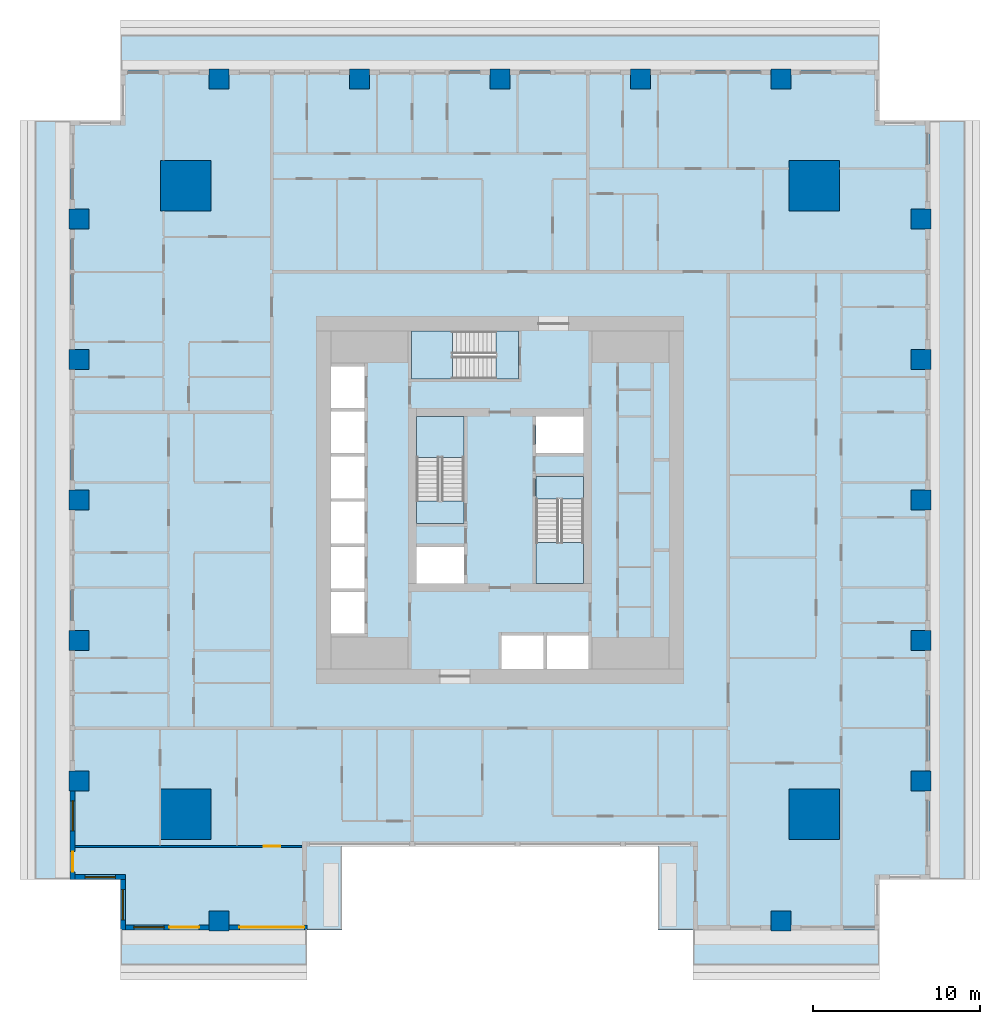
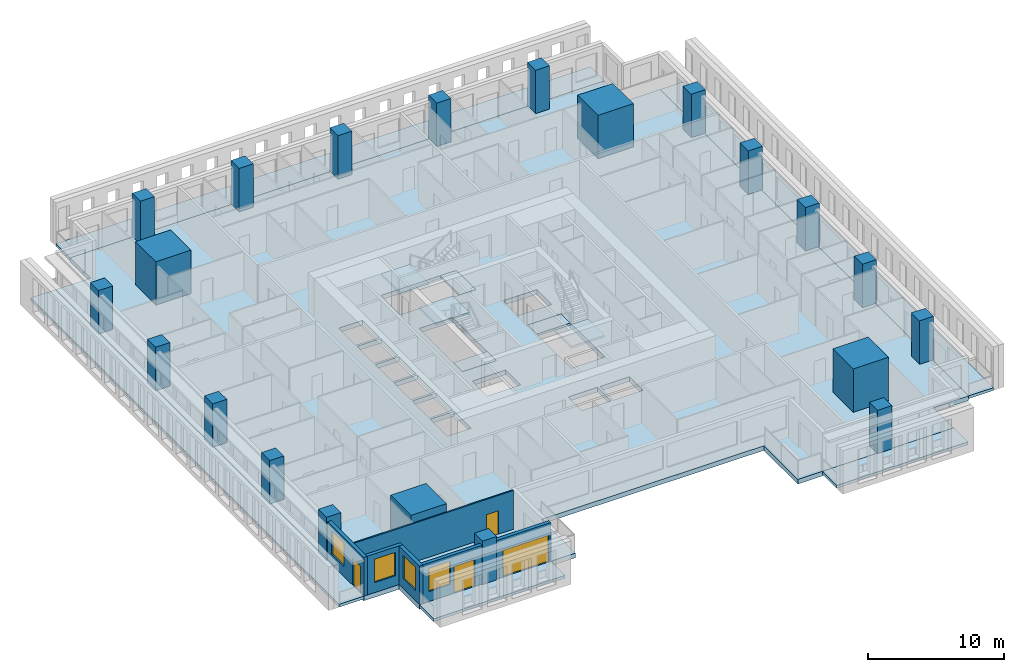
# One storey, part 1 of 15: 21 columns, 12 slabs, 6 walls, 4 doors, 4 windows, 8 openings, 3 elements without a shape of their own.
"""IFC4 building model written with IfcOpenShell, lengths in metres."""

import ifcopenshell
import ifcopenshell.guid

model = None  # the IFC model being written
_history = None  # IfcOwnerHistory: only IFC2X3 demands one
_inside = {}  # id of a spatial element -> (the spatial element, [elements in it])
_under = {}  # id of a project, library or spatial element -> (it, [spatial elements below it])
_declared = {}  # id of a project -> (the project, [libraries it declares])
_typed = {}  # id of a type object -> (the type object, [elements of that type])
_made_of = {}  # id of a material, layer set ... -> (it, [elements and type objects made of it])


def new_model(schema):
    """Start an empty IFC model of exactly this schema.

    Asked for "IFC4X3", IfcOpenShell would pick the latest addendum, in which some entities
    have other attributes; the version numbers below select the first issue.
    IFC2X3 requires an IfcOwnerHistory on every rooted entity: one is made here for all.
    """
    global model, _history
    if schema == "IFC4X3":
        model = ifcopenshell.file(schema_version=(4, 3, 0, 0))
    else:
        model = ifcopenshell.file(schema=schema)
    _inside.clear()
    _under.clear()
    _declared.clear()
    _typed.clear()
    _made_of.clear()
    _history = None
    if model.schema == "IFC2X3":
        org = make("IfcOrganization", Name="unknown")
        user = make(
            "IfcPersonAndOrganization",
            ThePerson=make("IfcPerson", FamilyName="unknown"),
            TheOrganization=org,
        )
        app = make(
            "IfcApplication",
            ApplicationDeveloper=org,
            Version="unknown",
            ApplicationFullName="unknown",
            ApplicationIdentifier="unknown",
        )
        _history = make(
            "IfcOwnerHistory",
            OwningUser=user,
            OwningApplication=app,
            ChangeAction="ADDED",
            CreationDate=0,
        )
    return model


def make(cls, **values):
    """One entity of the class cls with the attributes given. An attribute that is None is left unset."""
    return model.create_entity(
        cls, **{name: value for name, value in values.items() if value is not None}
    )


def rooted(cls, **values):
    """An entity with a GlobalId (a new one), such as an element, a storey or a relation."""
    return make(cls, GlobalId=ifcopenshell.guid.new(), OwnerHistory=_history, **values)


def si_unit(unit_type, name, prefix=None):
    """IfcSIUnit, for example si_unit("LENGTHUNIT", "METRE", prefix="MILLI")."""
    return make("IfcSIUnit", UnitType=unit_type, Prefix=prefix, Name=name)


def assignment(units):
    """IfcUnitAssignment: the units of a project."""
    return None if units is None else make("IfcUnitAssignment", Units=units)


def point(xyz):
    """IfcCartesianPoint."""
    return None if xyz is None else make("IfcCartesianPoint", Coordinates=xyz)


def direction(xyz):
    """IfcDirection."""
    return None if xyz is None else make("IfcDirection", DirectionRatios=xyz)


def frame(location, z_axis=None, x_axis=None):
    """IfcAxis2Placement3D, a coordinate frame: its origin and axes. An axis left out is left unset."""
    return make(
        "IfcAxis2Placement3D",
        Location=point(location),
        Axis=direction(z_axis),
        RefDirection=direction(x_axis),
    )


def frame_2d(location, x_axis=None):
    """IfcAxis2Placement2D, a coordinate frame in the plane: its origin and x axis."""
    return make(
        "IfcAxis2Placement2D", Location=point(location), RefDirection=direction(x_axis)
    )


def origin():
    """The frame at (0, 0, 0) with its axes left unset."""
    return frame((0.0, 0.0, 0.0))


def origin_2d():
    """The frame at (0, 0) in the plane with its x axis left unset."""
    return frame_2d((0.0, 0.0))


def place(relative_to, where):
    """IfcLocalPlacement: puts the frame where relative to a parent placement (None: the world)."""
    return make(
        "IfcLocalPlacement", PlacementRelTo=relative_to, RelativePlacement=where
    )


def context(
    kind, dimensions, precision=None, world=None, true_north=None, identifier=None
):
    """IfcGeometricRepresentationContext, for example the 3D "Model" context."""
    return make(
        "IfcGeometricRepresentationContext",
        ContextIdentifier=identifier,
        ContextType=kind,
        CoordinateSpaceDimension=dimensions,
        Precision=precision,
        WorldCoordinateSystem=world,
        TrueNorth=true_north,
    )


def subcontext(parent, identifier, kind, view, scale=None):
    """IfcGeometricRepresentationSubContext, for example "Body" below "Model"."""
    return make(
        "IfcGeometricRepresentationSubContext",
        ContextIdentifier=identifier,
        ContextType=kind,
        ParentContext=parent,
        TargetScale=scale,
        TargetView=view,
    )


def project(units=None, contexts=None):
    """IfcProject with its units and contexts."""
    return rooted(
        "IfcProject",
        Name="project",
        RepresentationContexts=contexts,
        UnitsInContext=assignment(units),
    )


def spatial(cls, under=None, at=None, **own):
    """A site, building, storey or space (cls), placed at a placement, below another one or the project."""
    s = rooted(cls, ObjectPlacement=at, **own)
    if under is not None:
        _under.setdefault(under.id(), (under, []))[1].append(s)
    return s


def polyline(points):
    """IfcPolyline through the points."""
    return make("IfcPolyline", Points=[point(p) for p in points])


def profile(cls, at=None, kind="AREA", **sizes):
    """A parametric profile (cls). Its sizes go by their IFC names, for example OverallWidth=200.0."""
    return make(cls, ProfileType=kind, Position=at, **sizes)


def rectangle(**sizes):
    """IfcRectangleProfileDef."""
    return profile("IfcRectangleProfileDef", **sizes)


def outline(outer, holes=None, kind="AREA"):
    """IfcArbitraryClosedProfileDef: a profile drawn as a closed curve; with holes, ...WithVoids."""
    if holes is None:
        return make("IfcArbitraryClosedProfileDef", ProfileType=kind, OuterCurve=outer)
    return make(
        "IfcArbitraryProfileDefWithVoids",
        ProfileType=kind,
        OuterCurve=outer,
        InnerCurves=holes,
    )


def extrude(swept, where, along, depth):
    """IfcExtrudedAreaSolid: the profile swept, set in the frame where, extruded along a direction by depth."""
    return make(
        "IfcExtrudedAreaSolid",
        SweptArea=swept,
        Position=where,
        ExtrudedDirection=direction(along),
        Depth=depth,
    )


def shape(context_of_items, identifier, shape_type, items):
    """IfcShapeRepresentation: the items that make up one representation, for example the "Body"."""
    return make(
        "IfcShapeRepresentation",
        ContextOfItems=context_of_items,
        RepresentationIdentifier=identifier,
        RepresentationType=shape_type,
        Items=items,
    )


def material(Name=None, Category=None):
    """IfcMaterial."""
    return make("IfcMaterial", Name=Name, Category=Category)


def layer(
    of_material, thickness, ventilated=None, Name=None, Category=None, Priority=None
):
    """IfcMaterialLayer: one layer of a wall or slab, of a material (None: an air gap)."""
    return make(
        "IfcMaterialLayer",
        Material=of_material,
        LayerThickness=thickness,
        IsVentilated=ventilated,
        Name=Name,
        Category=Category,
        Priority=Priority,
    )


def layer_set(layers, Name=None):
    """IfcMaterialLayerSet."""
    return make("IfcMaterialLayerSet", MaterialLayers=layers, LayerSetName=Name)


def material_profile(
    of_material, cross_section, Name=None, Category=None, Priority=None
):
    """IfcMaterialProfile: a cross section and its material."""
    return make(
        "IfcMaterialProfile",
        Name=Name,
        Material=of_material,
        Profile=cross_section,
        Priority=Priority,
        Category=Category,
    )


def profile_set(profiles, Name=None, composite=None):
    """IfcMaterialProfileSet."""
    return make(
        "IfcMaterialProfileSet",
        Name=Name,
        MaterialProfiles=profiles,
        CompositeProfile=composite,
    )


def made_of(thing, what):
    """Note that an element or type object is made of a material, layer set ...; save() writes the relation."""
    if what is not None:
        _made_of.setdefault(what.id(), (what, []))[1].append(thing)
    return thing


def type_object(cls, material=None, **own):
    """A type object (cls), such as IfcWallType, which elements share."""
    return made_of(rooted(cls, **own), material)


def element(
    cls,
    number,
    at=None,
    inside=None,
    cuts=None,
    type_object=None,
    material=None,
    context=None,
    identifier="Body",
    shape_type=None,
    held_by="IfcProductDefinitionShape",
    body=None,
    shapes=None,
    **own,
):
    """One element of the class cls, such as IfcWall. Its Tag is "e" and its number.

    at: its placement. inside: the storey or other place that contains it. cuts: it is an
    opening in that element (IfcRelVoidsElement). A single representation is given by context,
    identifier, shape_type and body (its items); several are given by shapes. held_by: the class
    of the entity that holds the representations. save() writes the other relations.
    """
    e = rooted(cls, Tag="e%d" % number, ObjectPlacement=at, **own)
    if body is not None:
        shapes = [shape(context, identifier, shape_type, body)]
    if shapes is not None:
        e.Representation = make(held_by, Representations=shapes)
    if inside is not None:
        _inside.setdefault(inside.id(), (inside, []))[1].append(e)
    if cuts is not None:
        rooted(
            "IfcRelVoidsElement", RelatingBuildingElement=cuts, RelatedOpeningElement=e
        )
    if type_object is not None:
        _typed.setdefault(type_object.id(), (type_object, []))[1].append(e)
    return made_of(e, material)


def fill(opening, filler):
    """IfcRelFillsElement: the door or window that sits in an opening."""
    return rooted(
        "IfcRelFillsElement",
        RelatingOpeningElement=opening,
        RelatedBuildingElement=filler,
    )


def aggregate(whole, parts):
    """IfcRelAggregates: a whole, such as a stair, and the parts it consists of."""
    return rooted("IfcRelAggregates", RelatingObject=whole, RelatedObjects=parts)


def save(model, path):
    """Write the relations noted so far, then the file.

    IfcRelAggregates (storeys below a building ...), IfcRelContainedInSpatialStructure (elements
    in a storey), IfcRelDefinesByType, IfcRelAssociatesMaterial and IfcRelDeclares: one each for
    every whole, place, type object, material and project.
    """
    for whole, parts in _under.values():
        aggregate(whole, parts)
    for where, things in _inside.values():
        rooted(
            "IfcRelContainedInSpatialStructure",
            RelatedElements=things,
            RelatingStructure=where,
        )
    for kind, things in _typed.values():
        rooted("IfcRelDefinesByType", RelatedObjects=things, RelatingType=kind)
    for what, things in _made_of.values():
        rooted("IfcRelAssociatesMaterial", RelatedObjects=things, RelatingMaterial=what)
    for by, libraries in _declared.values():
        rooted("IfcRelDeclares", RelatingContext=by, RelatedDefinitions=libraries)
    model.write(path)


model = new_model("IFC4")

# Units and contexts
model_context = context("Model", 3, precision=1e-05, world=origin(), true_north=direction((0.0, 1.0)))
body_context = subcontext(model_context, "Body", "Model", "MODEL_VIEW")
ifc_project = project(units=[si_unit("LENGTHUNIT", "METRE"), si_unit("AREAUNIT", "SQUARE_METRE"), si_unit("VOLUMEUNIT", "CUBIC_METRE"), si_unit("PLANEANGLEUNIT", "RADIAN"), si_unit("MASSUNIT", "GRAM", prefix="KILO")], contexts=[model_context])

# Site, building, storey
site_placement = place(None, origin())
site = spatial("IfcSite", under=ifc_project, at=site_placement, CompositionType="ELEMENT")
building_placement = place(site_placement, origin())
building = spatial("IfcBuilding", under=site, at=building_placement, Name="Khepri Terraces", CompositionType="ELEMENT")
storey_placement = place(building_placement, frame((0.0, 0.0, 58.199951171875)))
storey = spatial("IfcBuildingStorey", under=building, at=storey_placement, Name="L13", CompositionType="ELEMENT", Elevation=58.199951171875)

# Columns
ifc_material_1 = material(Name="Concrete C80/95", Category="concrete")
ifc_material_profile_1 = material_profile(ifc_material_1, rectangle(XDim=3.0, YDim=3.0, at=origin_2d()), Name="Concrete C80/95", Category="concrete")
ifc_profile_set_1 = profile_set([ifc_material_profile_1], Name="Concrete C80/95")
column_type_1 = type_object("IfcColumnType", Name="Mega column RC 3000x3000 C80/95", PredefinedType="COLUMN", material=ifc_profile_set_1)
for number, where, z_axis, x_axis, name in (
    (1, (18.800048828125, 18.800048828125, 0.0), (0.0, 0.0, 1.0), (1.0, 0.0, 0.0), "Mega column MEN L13"),
    (2, (18.800048828125, -18.800048828125, 0.0), (0.0, 0.0, 1.0), (1.0, 0.0, 0.0), "Mega column MES L13"),
    (3, (-18.800048828125, 18.800048828125, 0.0), (0.0, 0.0, 1.0), (1.0, 0.0, 0.0), "Mega column MWN L13"),
    (4, (-18.800048828125, -18.800048828125, 0.0), (0.0, 0.0, 1.0), (1.0, 0.0, 0.0), "Mega column MWS L13"),
):
    element("IfcColumn", number, at=place(storey_placement, frame(where, z_axis=z_axis, x_axis=x_axis)), inside=storey, type_object=column_type_1, Name=name, PredefinedType="COLUMN", context=body_context, shape_type="SweptSolid", body=[
        extrude(rectangle(XDim=3.0, YDim=3.0, at=origin_2d()), origin(), (0.0, 0.0, 1.0), 3.900146484375),
    ])
ifc_material_profile_2 = material_profile(ifc_material_1, rectangle(XDim=1.199951171875, YDim=1.199951171875, at=origin_2d()), Name="Concrete C80/95", Category="concrete")
ifc_profile_set_2 = profile_set([ifc_material_profile_2], Name="Concrete C80/95")
column_type_2 = type_object("IfcColumnType", Name="Tower column RC 1200x1200 C80/95", PredefinedType="COLUMN", material=ifc_profile_set_2)
for number, where, z_axis, x_axis, name in (
    (5, (25.199951171875, 0.0, 0.0), (0.0, 0.0, 1.0), (1.0, 0.0, 0.0), "Perimeter column PE+000a L13"),
    (6, (25.199951171875, 8.39990234375, 0.0), (0.0, 0.0, 1.0), (1.0, 0.0, 0.0), "Perimeter column PE+084a L13"),
    (7, (25.199951171875, 16.800048828125, 0.0), (0.0, 0.0, 1.0), (1.0, 0.0, 0.0), "Perimeter column PE+168a L13"),
    (8, (25.199951171875, -8.39990234375, 0.0), (0.0, 0.0, 1.0), (1.0, 0.0, 0.0), "Perimeter column PE-084a L13"),
    (9, (25.199951171875, -16.800048828125, 0.0), (0.0, 0.0, 1.0), (1.0, 0.0, 0.0), "Perimeter column PE-168a L13"),
    (10, (0.0, 25.199951171875, 0.0), (0.0, 0.0, 1.0), (1.0, 0.0, 0.0), "Perimeter column PN+000a L13"),
    (11, (-8.39990234375, 25.199951171875, 0.0), (0.0, 0.0, 1.0), (1.0, 0.0, 0.0), "Perimeter column PN+084a L13"),
    (12, (-16.800048828125, 25.199951171875, 0.0), (0.0, 0.0, 1.0), (1.0, 0.0, 0.0), "Perimeter column PN+168a L13"),
    (13, (8.39990234375, 25.199951171875, 0.0), (0.0, 0.0, 1.0), (1.0, 0.0, 0.0), "Perimeter column PN-084a L13"),
    (14, (16.800048828125, 25.199951171875, 0.0), (0.0, 0.0, 1.0), (1.0, 0.0, 0.0), "Perimeter column PN-168a L13"),
    (15, (16.800048828125, -25.199951171875, 0.0), (0.0, 0.0, 1.0), (1.0, 0.0, 0.0), "Perimeter column PS+168a L13"),
    (16, (-16.800048828125, -25.199951171875, 0.0), (0.0, 0.0, 1.0), (1.0, 0.0, 0.0), "Perimeter column PS-168a L13"),
    (17, (-25.199951171875, 0.0, 0.0), (0.0, 0.0, 1.0), (1.0, 0.0, 0.0), "Perimeter column PW+000a L13"),
    (18, (-25.199951171875, -8.39990234375, 0.0), (0.0, 0.0, 1.0), (1.0, 0.0, 0.0), "Perimeter column PW+084a L13"),
    (19, (-25.199951171875, -16.800048828125, 0.0), (0.0, 0.0, 1.0), (1.0, 0.0, 0.0), "Perimeter column PW+168a L13"),
    (20, (-25.199951171875, 8.39990234375, 0.0), (0.0, 0.0, 1.0), (1.0, 0.0, 0.0), "Perimeter column PW-084a L13"),
    (21, (-25.199951171875, 16.800048828125, 0.0), (0.0, 0.0, 1.0), (1.0, 0.0, 0.0), "Perimeter column PW-168a L13"),
):
    element("IfcColumn", number, at=place(storey_placement, frame(where, z_axis=z_axis, x_axis=x_axis)), inside=storey, type_object=column_type_2, Name=name, PredefinedType="COLUMN", context=body_context, shape_type="SweptSolid", body=[
        extrude(rectangle(XDim=1.199951171875, YDim=1.199951171875, at=origin_2d()), origin(), (0.0, 0.0, 1.0), 3.900146484375),
    ])

# Slabs
ifc_material_2 = material(Name="Concrete C40/50", Category="concrete")
ifc_layer_1 = layer(ifc_material_2, 0.419921875, Name="Concrete C40/50", Category="concrete")
ifc_layer_set_1 = layer_set([ifc_layer_1], Name="Concrete C40/50")
slab_type_1 = type_object("IfcSlabType", Name="Flat plate 420", PredefinedType="FLOOR", material=ifc_layer_set_1)
slab_1_placement = place(storey_placement, frame((0.0, 0.0, -0.419921875)))
element("IfcSlab", 22, at=slab_1_placement, inside=storey, type_object=slab_type_1, Name="Floor slab F01 L13", PredefinedType="FLOOR", context=body_context, shape_type="SweptSolid", body=[
    extrude(outline(polyline([(22.719970703125, -25.719970703125), (11.550048828125, -25.719970703125), (9.449951171875, -25.719970703125), (9.449951171875, -20.719970703125), (-9.449951171875, -20.719970703125), (-9.449951171875, -25.719970703125), (-11.550048828125, -25.719970703125), (-22.719970703125, -25.719970703125), (-22.719970703125, -22.719970703125), (-25.719970703125, -22.719970703125), (-25.719970703125, 22.719970703125), (-22.719970703125, 22.719970703125), (-22.719970703125, 25.719970703125), (22.719970703125, 25.719970703125), (22.719970703125, 22.719970703125), (25.719970703125, 22.719970703125), (25.719970703125, -22.719970703125), (22.719970703125, -22.719970703125), (22.719970703125, -25.719970703125)]), holes=[polyline([(5.0, 5.0), (2.14990234375, 5.0), (2.14990234375, 2.800048828125), (5.0, 2.800048828125), (5.0, 5.0)]), polyline([(-2.14990234375, -5.0), (-2.14990234375, -2.800048828125), (-5.0, -2.800048828125), (-5.0, -5.0), (-2.14990234375, -5.0)]), polyline([(-10.10009765625, -8.0), (-8.10009765625, -8.0), (-8.10009765625, -5.5), (-10.10009765625, -5.5), (-10.10009765625, -8.0)]), polyline([(-10.10009765625, -2.800048828125), (-10.10009765625, -5.300048828125), (-8.10009765625, -5.300048828125), (-8.10009765625, -2.800048828125), (-10.10009765625, -2.800048828125)]), polyline([(-8.10009765625, -0.10009765625), (-10.10009765625, -0.10009765625), (-10.10009765625, -2.60009765625), (-8.10009765625, -2.60009765625), (-8.10009765625, -0.10009765625)]), polyline([(-8.10009765625, 0.10009765625), (-8.10009765625, 2.60009765625), (-10.10009765625, 2.60009765625), (-10.10009765625, 0.10009765625), (-8.10009765625, 0.10009765625)]), polyline([(-10.10009765625, 2.800048828125), (-8.10009765625, 2.800048828125), (-8.10009765625, 5.300048828125), (-10.10009765625, 5.300048828125), (-10.10009765625, 2.800048828125)]), polyline([(-10.10009765625, 8.0), (-10.10009765625, 5.5), (-8.10009765625, 5.5), (-8.10009765625, 8.0), (-10.10009765625, 8.0)]), polyline([(2.60009765625, -8.10009765625), (0.10009765625, -8.10009765625), (0.10009765625, -10.10009765625), (2.60009765625, -10.10009765625), (2.60009765625, -8.10009765625)]), polyline([(5.300048828125, -10.10009765625), (5.300048828125, -8.10009765625), (2.800048828125, -8.10009765625), (2.800048828125, -10.10009765625), (5.300048828125, -10.10009765625)]), polyline([(-5.0, -1.39990234375), (-2.14990234375, -1.39990234375), (-2.14990234375, 5.0), (-5.0, 5.0), (-5.0, -1.39990234375)]), polyline([(5.0, -5.0), (5.0, 1.39990234375), (2.14990234375, 1.39990234375), (2.14990234375, -5.0), (5.0, -5.0)]), polyline([(-5.300048828125, 10.10009765625), (-5.300048828125, 7.25), (1.10009765625, 7.25), (1.10009765625, 10.10009765625), (-5.300048828125, 10.10009765625)])]), origin(), (0.0, 0.0, 1.0), 0.419921875),
])
ifc_material_3 = material(Name="Precast concrete C50/60 warm stone", Category="masonry")
ifc_layer_2 = layer(ifc_material_3, 0.25, Name="Precast concrete C50/60 warm stone", Category="masonry")
ifc_layer_set_2 = layer_set([ifc_layer_2], Name="Precast concrete C50/60 warm stone")
slab_type_2 = type_object("IfcSlabType", Name="SLB-BALCONY-250", PredefinedType="FLOOR", material=ifc_layer_set_2)
slab_2_placement = place(storey_placement, frame((0.0, 0.0, -0.25)))
element("IfcSlab", 23, at=slab_2_placement, inside=storey, type_object=slab_type_2, Name="Balcony slab L13 S", PredefinedType="FLOOR", context=body_context, shape_type="SweptSolid", body=[
    extrude(outline(polyline([(-17.39990234375, -25.719970703125), (-22.719970703125, -25.719970703125), (-22.719970703125, -27.820068359375), (-11.550048828125, -27.820068359375), (-11.550048828125, -25.719970703125), (-16.199951171875, -25.719970703125), (-16.199951171875, -25.800048828125), (-17.39990234375, -25.800048828125), (-17.39990234375, -25.719970703125)])), origin(), (0.0, 0.0, 1.0), 0.25),
])
slab_3_placement = place(storey_placement, frame((0.0, 0.0, -0.25)))
element("IfcSlab", 24, at=slab_3_placement, inside=storey, type_object=slab_type_2, Name="Balcony slab L13 S", PredefinedType="FLOOR", context=body_context, shape_type="SweptSolid", body=[
    extrude(outline(polyline([(16.199951171875, -25.719970703125), (11.550048828125, -25.719970703125), (11.550048828125, -27.820068359375), (22.719970703125, -27.820068359375), (22.719970703125, -25.719970703125), (17.39990234375, -25.719970703125), (17.39990234375, -25.800048828125), (16.199951171875, -25.800048828125), (16.199951171875, -25.719970703125)])), origin(), (0.0, 0.0, 1.0), 0.25),
])
slab_4_placement = place(storey_placement, frame((0.0, 0.0, -0.25)))
element("IfcSlab", 25, at=slab_4_placement, inside=storey, type_object=slab_type_2, Name="Balcony slab L13 E", PredefinedType="FLOOR", context=body_context, shape_type="SweptSolid", body=[
    extrude(outline(polyline([(25.719970703125, -17.39990234375), (25.719970703125, -22.719970703125), (27.820068359375, -22.719970703125), (27.820068359375, 22.719970703125), (25.719970703125, 22.719970703125), (25.719970703125, 17.39990234375), (25.800048828125, 17.39990234375), (25.800048828125, 16.199951171875), (25.719970703125, 16.199951171875), (25.719970703125, 9.0), (25.800048828125, 9.0), (25.800048828125, 7.800048828125), (25.719970703125, 7.800048828125), (25.719970703125, 0.60009765625), (25.800048828125, 0.60009765625), (25.800048828125, -0.60009765625), (25.719970703125, -0.60009765625), (25.719970703125, -7.800048828125), (25.800048828125, -7.800048828125), (25.800048828125, -9.0), (25.719970703125, -9.0), (25.719970703125, -16.199951171875), (25.800048828125, -16.199951171875), (25.800048828125, -17.39990234375), (25.719970703125, -17.39990234375)])), origin(), (0.0, 0.0, 1.0), 0.25),
])
slab_5_placement = place(storey_placement, frame((0.0, 0.0, -0.25)))
element("IfcSlab", 26, at=slab_5_placement, inside=storey, type_object=slab_type_2, Name="Balcony slab L13 N", PredefinedType="FLOOR", context=body_context, shape_type="SweptSolid", body=[
    extrude(outline(polyline([(17.39990234375, 25.719970703125), (22.719970703125, 25.719970703125), (22.719970703125, 27.820068359375), (-22.719970703125, 27.820068359375), (-22.719970703125, 25.719970703125), (-17.39990234375, 25.719970703125), (-17.39990234375, 25.800048828125), (-16.199951171875, 25.800048828125), (-16.199951171875, 25.719970703125), (-9.0, 25.719970703125), (-9.0, 25.800048828125), (-7.800048828125, 25.800048828125), (-7.800048828125, 25.719970703125), (-0.60009765625, 25.719970703125), (-0.60009765625, 25.800048828125), (0.60009765625, 25.800048828125), (0.60009765625, 25.719970703125), (7.800048828125, 25.719970703125), (7.800048828125, 25.800048828125), (9.0, 25.800048828125), (9.0, 25.719970703125), (16.199951171875, 25.719970703125), (16.199951171875, 25.800048828125), (17.39990234375, 25.800048828125), (17.39990234375, 25.719970703125)])), origin(), (0.0, 0.0, 1.0), 0.25),
])
slab_6_placement = place(storey_placement, frame((0.0, 0.0, -0.25)))
element("IfcSlab", 27, at=slab_6_placement, inside=storey, type_object=slab_type_2, Name="Balcony slab L13 W", PredefinedType="FLOOR", context=body_context, shape_type="SweptSolid", body=[
    extrude(outline(polyline([(-25.719970703125, 17.39990234375), (-25.719970703125, 22.719970703125), (-27.820068359375, 22.719970703125), (-27.820068359375, -22.719970703125), (-25.719970703125, -22.719970703125), (-25.719970703125, -17.39990234375), (-25.800048828125, -17.39990234375), (-25.800048828125, -16.199951171875), (-25.719970703125, -16.199951171875), (-25.719970703125, -9.0), (-25.800048828125, -9.0), (-25.800048828125, -7.800048828125), (-25.719970703125, -7.800048828125), (-25.719970703125, -0.60009765625), (-25.800048828125, -0.60009765625), (-25.800048828125, 0.60009765625), (-25.719970703125, 0.60009765625), (-25.719970703125, 7.800048828125), (-25.800048828125, 7.800048828125), (-25.800048828125, 9.0), (-25.719970703125, 9.0), (-25.719970703125, 16.199951171875), (-25.800048828125, 16.199951171875), (-25.800048828125, 17.39990234375), (-25.719970703125, 17.39990234375)])), origin(), (0.0, 0.0, 1.0), 0.25),
])

# Stair, slabs
stair_type = type_object("IfcStairType", Name="STAIR-RC-22R", PredefinedType="HALF_TURN_STAIR", material=ifc_material_2)
stair_1_placement = place(storey_placement, origin())
stair_1 = element("IfcStair", 28, at=stair_1_placement, inside=storey, type_object=stair_type, Name="L13 Exit Stair ST-1", PredefinedType="HALF_TURN_STAIR")
ifc_layer_3 = layer(ifc_material_2, 0.199951171875, Name="Concrete C40/50", Category="concrete")
ifc_layer_set_3 = layer_set([ifc_layer_3], Name="Concrete C40/50")
slab_type_3 = type_object("IfcSlabType", Name="SLB-CORE-LANDING", PredefinedType="LANDING", material=ifc_layer_set_3)
slab_7_placement = place(storey_placement, frame((0.0, 0.0, -0.199951171875)))
slab_7 = element("IfcSlab", 29, at=slab_7_placement, type_object=slab_type_3, Name="ST-1 landing 1", PredefinedType="LANDING", context=body_context, shape_type="SweptSolid", body=[
    extrude(outline(polyline([(-2.14990234375, -1.39990234375), (-2.14990234375, -0.050048828125), (-5.0, -0.050048828125), (-5.0, -1.39990234375), (-2.14990234375, -1.39990234375)])), origin(), (0.0, 0.0, 1.0), 0.199951171875),
])
slab_8_placement = place(storey_placement, frame((0.0, 0.0, 1.75)))
slab_8 = element("IfcSlab", 30, at=slab_8_placement, type_object=slab_type_3, Name="ST-1 landing 2", PredefinedType="LANDING", context=body_context, shape_type="SweptSolid", body=[
    extrude(outline(polyline([(-2.14990234375, 2.550048828125), (-2.14990234375, 5.0), (-5.0, 5.0), (-5.0, 2.550048828125), (-2.14990234375, 2.550048828125)])), origin(), (0.0, 0.0, 1.0), 0.199951171875),
])
aggregate(stair_1, [slab_7, slab_8])

stair_2_placement = place(storey_placement, origin())
stair_2 = element("IfcStair", 31, at=stair_2_placement, inside=storey, type_object=stair_type, Name="L13 Exit Stair ST-2", PredefinedType="HALF_TURN_STAIR")
slab_9_placement = place(storey_placement, frame((0.0, 0.0, -0.199951171875)))
slab_9 = element("IfcSlab", 32, at=slab_9_placement, type_object=slab_type_3, Name="ST-2 landing 1", PredefinedType="LANDING", context=body_context, shape_type="SweptSolid", body=[
    extrude(outline(polyline([(2.14990234375, 1.39990234375), (2.14990234375, 0.050048828125), (5.0, 0.050048828125), (5.0, 1.39990234375), (2.14990234375, 1.39990234375)])), origin(), (0.0, 0.0, 1.0), 0.199951171875),
])
slab_10_placement = place(storey_placement, frame((0.0, 0.0, 1.75)))
slab_10 = element("IfcSlab", 33, at=slab_10_placement, type_object=slab_type_3, Name="ST-2 landing 2", PredefinedType="LANDING", context=body_context, shape_type="SweptSolid", body=[
    extrude(outline(polyline([(2.14990234375, -2.550048828125), (2.14990234375, -5.0), (5.0, -5.0), (5.0, -2.550048828125), (2.14990234375, -2.550048828125)])), origin(), (0.0, 0.0, 1.0), 0.199951171875),
])
aggregate(stair_2, [slab_9, slab_10])

stair_3_placement = place(storey_placement, origin())
stair_3 = element("IfcStair", 34, at=stair_3_placement, inside=storey, type_object=stair_type, Name="L13 Exit Stair ST-3", PredefinedType="HALF_TURN_STAIR")
slab_11_placement = place(storey_placement, frame((0.0, 0.0, -0.199951171875)))
slab_11 = element("IfcSlab", 35, at=slab_11_placement, type_object=slab_type_3, Name="ST-3 landing 1", PredefinedType="LANDING", context=body_context, shape_type="SweptSolid", body=[
    extrude(outline(polyline([(1.10009765625, 10.10009765625), (-0.25, 10.10009765625), (-0.25, 7.25), (1.10009765625, 7.25), (1.10009765625, 10.10009765625)])), origin(), (0.0, 0.0, 1.0), 0.199951171875),
])
slab_12_placement = place(storey_placement, frame((0.0, 0.0, 1.75)))
slab_12 = element("IfcSlab", 36, at=slab_12_placement, type_object=slab_type_3, Name="ST-3 landing 2", PredefinedType="LANDING", context=body_context, shape_type="SweptSolid", body=[
    extrude(outline(polyline([(-2.85009765625, 10.10009765625), (-5.300048828125, 10.10009765625), (-5.300048828125, 7.25), (-2.85009765625, 7.25), (-2.85009765625, 10.10009765625)])), origin(), (0.0, 0.0, 1.0), 0.199951171875),
])
aggregate(stair_3, [slab_11, slab_12])

# Wall, openings, door, window
ifc_layer_4 = layer(ifc_material_3, 0.300048828125, Name="Precast concrete C50/60 warm stone", Category="masonry")
ifc_layer_set_4 = layer_set([ifc_layer_4], Name="Precast concrete C50/60 warm stone")
wall_type_1 = type_object("IfcWallType", Name="WL-EXT-PRECAST-300", PredefinedType="STANDARD", material=ifc_layer_set_4)
wall_1_placement = place(storey_placement, frame((-25.570068359375, -17.39990234375, 0.0), z_axis=(0.0, 0.0, 1.0), x_axis=(0.0, -1.0, 0.0)))
wall_1 = element("IfcWall", 37, at=wall_1_placement, inside=storey, type_object=wall_type_1, Name="External wall L13 W", PredefinedType="STANDARD", context=body_context, shape_type="SweptSolid", body=[
    extrude(rectangle(XDim=5.320068359375, YDim=0.300048828125, at=frame_2d((2.66015625, 0.0))), origin(), (0.0, 0.0, 1.0), 3.47998046875),
])
opening_1_placement = place(wall_1_placement, frame((0.60009765625, 0.0, 0.89990234375)))
opening_1 = element("IfcOpeningElement", 38, at=opening_1_placement, cuts=wall_1, Name="Opening W1", PredefinedType="OPENING", context=body_context, shape_type="SweptSolid", body=[
    extrude(rectangle(XDim=1.800048828125, YDim=2.10009765625, at=frame_2d((0.89990234375, 1.050048828125))), frame((0.0, 0.16015625, 0.0), z_axis=(0.0, -1.0, 0.0), x_axis=(1.0, 0.0, 0.0)), (0.0, 0.0, 1.0), 0.320068359375),
])
opening_2_placement = place(wall_1_placement, frame((3.64501953125, 0.0, 0.0)))
opening_2 = element("IfcOpeningElement", 39, at=opening_2_placement, cuts=wall_1, Name="Opening ED-L13-16", PredefinedType="OPENING", context=body_context, shape_type="SweptSolid", body=[
    extrude(rectangle(XDim=1.199951171875, YDim=2.39990234375, at=frame_2d((0.60009765625, 1.199951171875))), frame((0.0, 0.16015625, 0.0), z_axis=(0.0, -1.0, 0.0), x_axis=(1.0, 0.0, 0.0)), (0.0, 0.0, 1.0), 0.320068359375),
])
ifc_material_4 = material(Name="Anodised aluminium bronze glazed door", Category="aluminium")
door_type_1 = type_object("IfcDoorType", Name="DR-BAL-SLIDE-1200x2400", OperationType="NOTDEFINED", PredefinedType="DOOR", material=ifc_material_4)
door_1_placement = place(opening_2_placement, origin())
door_1 = element("IfcDoor", 40, at=door_1_placement, inside=storey, type_object=door_type_1, Name="Balcony door L13 W", OperationType="SLIDING_TO_RIGHT", OverallHeight=2.39990234375, OverallWidth=1.199951171875, PredefinedType="DOOR", context=body_context, shape_type="SweptSolid", body=[
    extrude(rectangle(XDim=1.199951171875, YDim=2.39990234375, at=frame_2d((0.60009765625, 1.199951171875))), frame((0.0, 0.02490234375, 0.0), z_axis=(0.0, -1.0, 0.0), x_axis=(1.0, 0.0, 0.0)), (0.0, 0.0, 1.0), 0.050048828125),
])
fill(opening_2, door_1)
ifc_material_5 = material(Name="Clear glass", Category="glass")
window_type = type_object("IfcWindowType", Name="WIN-RES-1800x2100", PartitioningType="SINGLE_PANEL", PredefinedType="WINDOW", material=ifc_material_5)
window_1_placement = place(opening_1_placement, origin())
window_1 = element("IfcWindow", 41, at=window_1_placement, inside=storey, type_object=window_type, Name="Window L13 W", OverallHeight=2.10009765625, OverallWidth=1.800048828125, PartitioningType="SINGLE_PANEL", PredefinedType="WINDOW", context=body_context, shape_type="SweptSolid", body=[
    extrude(rectangle(XDim=1.800048828125, YDim=2.10009765625, at=frame_2d((0.89990234375, 1.050048828125))), frame((0.0, 0.030029296875, 0.0), z_axis=(0.0, -1.0, 0.0), x_axis=(1.0, 0.0, 0.0)), (0.0, 0.0, 1.0), 0.06005859375),
])
fill(opening_1, window_1)

# Wall, opening, window
wall_2_placement = place(storey_placement, frame((-25.419921875, -22.570068359375, 0.0), z_axis=(0.0, 0.0, 1.0), x_axis=(1.0, 0.0, 0.0)))
wall_2 = element("IfcWall", 42, at=wall_2_placement, inside=storey, type_object=wall_type_1, Name="External wall L13 S", PredefinedType="STANDARD", context=body_context, shape_type="SweptSolid", body=[
    extrude(rectangle(XDim=3.0, YDim=0.300048828125, at=frame_2d((1.5, 0.0))), origin(), (0.0, 0.0, 1.0), 3.47998046875),
])
opening_3_placement = place(wall_2_placement, frame((0.60009765625, 0.0, 0.89990234375)))
opening_3 = element("IfcOpeningElement", 43, at=opening_3_placement, cuts=wall_2, Name="Opening W1", PredefinedType="OPENING", context=body_context, shape_type="SweptSolid", body=[
    extrude(rectangle(XDim=1.800048828125, YDim=2.10009765625, at=frame_2d((0.89990234375, 1.050048828125))), frame((0.0, 0.16015625, 0.0), z_axis=(0.0, -1.0, 0.0), x_axis=(1.0, 0.0, 0.0)), (0.0, 0.0, 1.0), 0.320068359375),
])
window_2_placement = place(opening_3_placement, origin())
window_2 = element("IfcWindow", 44, at=window_2_placement, inside=storey, type_object=window_type, Name="Window L13 S", OverallHeight=2.10009765625, OverallWidth=1.800048828125, PartitioningType="SINGLE_PANEL", PredefinedType="WINDOW", context=body_context, shape_type="SweptSolid", body=[
    extrude(rectangle(XDim=1.800048828125, YDim=2.10009765625, at=frame_2d((0.89990234375, 1.050048828125))), frame((0.0, 0.030029296875, 0.0), z_axis=(0.0, -1.0, 0.0), x_axis=(1.0, 0.0, 0.0)), (0.0, 0.0, 1.0), 0.06005859375),
])
fill(opening_3, window_2)

wall_3_placement = place(storey_placement, frame((-22.570068359375, -22.719970703125, 0.0), z_axis=(0.0, 0.0, 1.0), x_axis=(0.0, -1.0, 0.0)))
wall_3 = element("IfcWall", 45, at=wall_3_placement, inside=storey, type_object=wall_type_1, Name="External wall L13 W", PredefinedType="STANDARD", context=body_context, shape_type="SweptSolid", body=[
    extrude(rectangle(XDim=3.0, YDim=0.300048828125, at=frame_2d((1.5, 0.0))), origin(), (0.0, 0.0, 1.0), 3.47998046875),
])
opening_4_placement = place(wall_3_placement, frame((0.60009765625, 0.0, 0.89990234375)))
opening_4 = element("IfcOpeningElement", 46, at=opening_4_placement, cuts=wall_3, Name="Opening W1", PredefinedType="OPENING", context=body_context, shape_type="SweptSolid", body=[
    extrude(rectangle(XDim=1.800048828125, YDim=2.10009765625, at=frame_2d((0.89990234375, 1.050048828125))), frame((0.0, 0.16015625, 0.0), z_axis=(0.0, -1.0, 0.0), x_axis=(1.0, 0.0, 0.0)), (0.0, 0.0, 1.0), 0.320068359375),
])
window_3_placement = place(opening_4_placement, origin())
window_3 = element("IfcWindow", 47, at=window_3_placement, inside=storey, type_object=window_type, Name="Window L13 W", OverallHeight=2.10009765625, OverallWidth=1.800048828125, PartitioningType="SINGLE_PANEL", PredefinedType="WINDOW", context=body_context, shape_type="SweptSolid", body=[
    extrude(rectangle(XDim=1.800048828125, YDim=2.10009765625, at=frame_2d((0.89990234375, 1.050048828125))), frame((0.0, 0.030029296875, 0.0), z_axis=(0.0, -1.0, 0.0), x_axis=(1.0, 0.0, 0.0)), (0.0, 0.0, 1.0), 0.06005859375),
])
fill(opening_4, window_3)

# Wall, openings, door, window
wall_4_placement = place(storey_placement, frame((-22.419921875, -25.570068359375, 0.0), z_axis=(0.0, 0.0, 1.0), x_axis=(1.0, 0.0, 0.0)))
wall_4 = element("IfcWall", 48, at=wall_4_placement, inside=storey, type_object=wall_type_1, Name="External wall L13 S", PredefinedType="STANDARD", context=body_context, shape_type="SweptSolid", body=[
    extrude(rectangle(XDim=5.02001953125, YDim=0.300048828125, at=frame_2d((2.510009765625, 0.0))), origin(), (0.0, 0.0, 1.0), 3.47998046875),
])
opening_5_placement = place(wall_4_placement, frame((0.52001953125, 0.0, 0.89990234375)))
opening_5 = element("IfcOpeningElement", 49, at=opening_5_placement, cuts=wall_4, Name="Opening W1", PredefinedType="OPENING", context=body_context, shape_type="SweptSolid", body=[
    extrude(rectangle(XDim=1.800048828125, YDim=2.10009765625, at=frame_2d((0.89990234375, 1.050048828125))), frame((0.0, 0.16015625, 0.0), z_axis=(0.0, -1.0, 0.0), x_axis=(1.0, 0.0, 0.0)), (0.0, 0.0, 1.0), 0.320068359375),
])
opening_6_placement = place(wall_4_placement, frame((2.6201171875, 0.0, 0.0)))
opening_6 = element("IfcOpeningElement", 50, at=opening_6_placement, cuts=wall_4, Name="Opening ED-L13-17", PredefinedType="OPENING", context=body_context, shape_type="SweptSolid", body=[
    extrude(rectangle(XDim=1.800048828125, YDim=2.39990234375, at=frame_2d((0.89990234375, 1.199951171875))), frame((0.0, 0.16015625, 0.0), z_axis=(0.0, -1.0, 0.0), x_axis=(1.0, 0.0, 0.0)), (0.0, 0.0, 1.0), 0.320068359375),
])
door_type_2 = type_object("IfcDoorType", Name="DR-BAL-SLIDE-1800x2400", OperationType="NOTDEFINED", PredefinedType="DOOR", material=ifc_material_4)
door_2_placement = place(opening_6_placement, origin())
door_2 = element("IfcDoor", 51, at=door_2_placement, inside=storey, type_object=door_type_2, Name="Balcony door L13 S", OperationType="SLIDING_TO_RIGHT", OverallHeight=2.39990234375, OverallWidth=1.800048828125, PredefinedType="DOOR", context=body_context, shape_type="SweptSolid", body=[
    extrude(rectangle(XDim=1.800048828125, YDim=2.39990234375, at=frame_2d((0.89990234375, 1.199951171875))), frame((0.0, 0.02490234375, 0.0), z_axis=(0.0, -1.0, 0.0), x_axis=(1.0, 0.0, 0.0)), (0.0, 0.0, 1.0), 0.050048828125),
])
fill(opening_6, door_2)
window_4_placement = place(opening_5_placement, origin())
window_4 = element("IfcWindow", 52, at=window_4_placement, inside=storey, type_object=window_type, Name="Window L13 S", OverallHeight=2.10009765625, OverallWidth=1.800048828125, PartitioningType="SINGLE_PANEL", PredefinedType="WINDOW", context=body_context, shape_type="SweptSolid", body=[
    extrude(rectangle(XDim=1.800048828125, YDim=2.10009765625, at=frame_2d((0.89990234375, 1.050048828125))), frame((0.0, 0.030029296875, 0.0), z_axis=(0.0, -1.0, 0.0), x_axis=(1.0, 0.0, 0.0)), (0.0, 0.0, 1.0), 0.06005859375),
])
fill(opening_5, window_4)

# Wall, opening, door
wall_5_placement = place(storey_placement, frame((-16.199951171875, -25.570068359375, 0.0), z_axis=(0.0, 0.0, 1.0), x_axis=(1.0, 0.0, 0.0)))
wall_5 = element("IfcWall", 53, at=wall_5_placement, inside=storey, type_object=wall_type_1, Name="External wall L13 S", PredefinedType="STANDARD", context=body_context, shape_type="SweptSolid", body=[
    extrude(rectangle(XDim=4.64990234375, YDim=0.300048828125, at=frame_2d((2.324951171875, 0.0))), origin(), (0.0, 0.0, 1.0), 3.47998046875),
])
opening_7_placement = place(wall_5_placement, frame((0.60009765625, 0.0, 0.0)))
opening_7 = element("IfcOpeningElement", 54, at=opening_7_placement, cuts=wall_5, Name="Opening ED-L13-18", PredefinedType="OPENING", context=body_context, shape_type="SweptSolid", body=[
    extrude(rectangle(XDim=3.89990234375, YDim=2.39990234375, at=frame_2d((1.949951171875, 1.199951171875))), frame((0.0, 0.16015625, 0.0), z_axis=(0.0, -1.0, 0.0), x_axis=(1.0, 0.0, 0.0)), (0.0, 0.0, 1.0), 0.320068359375),
])
door_type_3 = type_object("IfcDoorType", Name="DR-BAL-SLIDE-3900x2400", OperationType="NOTDEFINED", PredefinedType="DOOR", material=ifc_material_4)
door_3_placement = place(opening_7_placement, origin())
door_3 = element("IfcDoor", 55, at=door_3_placement, inside=storey, type_object=door_type_3, Name="Balcony door L13 S", OperationType="SLIDING_TO_LEFT", OverallHeight=2.39990234375, OverallWidth=3.89990234375, PredefinedType="DOOR", context=body_context, shape_type="SweptSolid", body=[
    extrude(rectangle(XDim=3.89990234375, YDim=2.39990234375, at=frame_2d((1.949951171875, 1.199951171875))), frame((0.0, 0.02490234375, 0.0), z_axis=(0.0, -1.0, 0.0), x_axis=(1.0, 0.0, 0.0)), (0.0, 0.0, 1.0), 0.050048828125),
])
fill(opening_7, door_3)

ifc_material_6 = material(Name="Gypsum plasterboard partition")
ifc_layer_5 = layer(ifc_material_6, 0.1201171875, Name="Gypsum plasterboard partition")
ifc_layer_set_5 = layer_set([ifc_layer_5], Name="Gypsum plasterboard partition")
wall_type_2 = type_object("IfcWallType", Name="WL-PART-120", PredefinedType="PARTITIONING", material=ifc_layer_set_5)
wall_6_placement = place(storey_placement, frame((-25.419921875, -20.719970703125, 0.0), z_axis=(0.0, 0.0, 1.0), x_axis=(1.0, 0.0, 0.0)))
wall_6 = element("IfcWall", 56, at=wall_6_placement, inside=storey, type_object=wall_type_2, Name="Partition P-003 L13", PredefinedType="PARTITIONING", context=body_context, shape_type="SweptSolid", body=[
    extrude(rectangle(XDim=13.56982421875, YDim=0.1201171875, at=frame_2d((6.784912109375, 0.0))), origin(), (0.0, 0.0, 1.0), 3.47998046875),
])
opening_8_placement = place(wall_6_placement, frame((11.27001953125, 0.0, 0.0)))
opening_8 = element("IfcOpeningElement", 57, at=opening_8_placement, cuts=wall_6, Name="Opening D2", PredefinedType="OPENING", context=body_context, shape_type="SweptSolid", body=[
    extrude(rectangle(XDim=1.0, YDim=2.10009765625, at=frame_2d((0.5, 1.050048828125))), frame((0.0, 0.070068359375, 0.0), z_axis=(0.0, -1.0, 0.0), x_axis=(1.0, 0.0, 0.0)), (0.0, 0.0, 1.0), 0.14013671875),
])
ifc_material_7 = material(Name="Timber door leaf, living room door", Category="wood")
door_type_4 = type_object("IfcDoorType", Name="DR-INT-1000", OperationType="NOTDEFINED", PredefinedType="DOOR", material=ifc_material_7)
door_4_placement = place(opening_8_placement, frame((1.0, 0.0, 0.0), z_axis=(0.0, 0.0, 1.0), x_axis=(-1.0, 0.0, 0.0)))
door_4 = element("IfcDoor", 58, at=door_4_placement, inside=storey, type_object=door_type_4, Name="Door Living Room", OperationType="SINGLE_SWING_LEFT", OverallHeight=2.10009765625, OverallWidth=1.0, PredefinedType="DOOR", context=body_context, shape_type="SweptSolid", body=[
    extrude(rectangle(XDim=1.0, YDim=2.10009765625, at=frame_2d((0.5, 1.050048828125))), frame((0.0, 0.02490234375, 0.0), z_axis=(0.0, -1.0, 0.0), x_axis=(1.0, 0.0, 0.0)), (0.0, 0.0, 1.0), 0.050048828125),
])
fill(opening_8, door_4)

save(model, "model.ifc")
